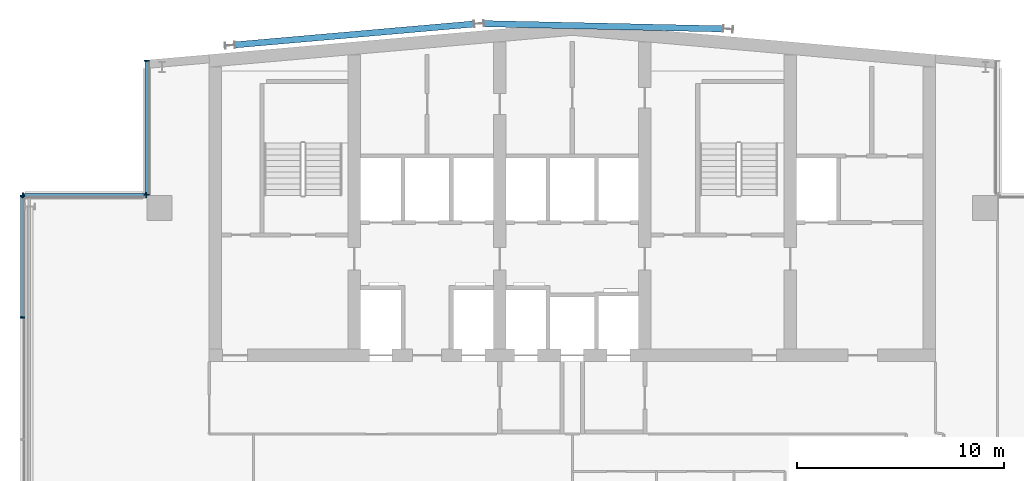
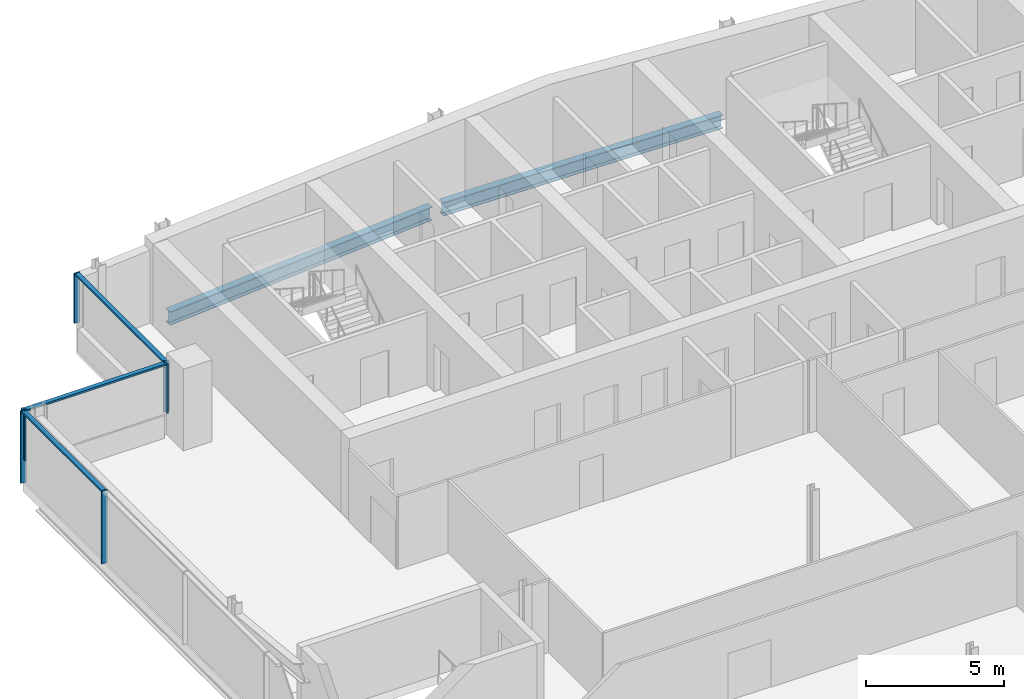
# One storey, part 9 of 19: 9 members, 2 beams, 3 elements without a shape of their own.
"""IFC4 building model written with IfcOpenShell, lengths in metres."""

from ifc_helpers import new_model, si_unit, direction, frame, origin, origin_2d, place, context, subcontext, project, spatial, rectangle, i_section, extrude, material, material_profile, profile_set, type_object, element, aggregate, save


model = new_model("IFC4")

# Units and contexts
model_context = context("Model", 3, precision=1e-05, world=origin(), true_north=direction((0.0, 1.0)))
body_context = subcontext(model_context, "Body", "Model", "MODEL_VIEW")
ifc_project = project(units=[si_unit("LENGTHUNIT", "METRE"), si_unit("AREAUNIT", "SQUARE_METRE"), si_unit("VOLUMEUNIT", "CUBIC_METRE"), si_unit("PLANEANGLEUNIT", "RADIAN"), si_unit("MASSUNIT", "GRAM", prefix="KILO")], contexts=[model_context])

# Site, building, storey
site_placement = place(None, origin())
site = spatial("IfcSite", under=ifc_project, at=site_placement, CompositionType="ELEMENT")
building_placement = place(site_placement, origin())
building = spatial("IfcBuilding", under=site, at=building_placement, Name="Wharfspan Tower", CompositionType="ELEMENT")
storey_placement = place(building_placement, frame((0.0, 0.0, 257.5)))
storey = spatial("IfcBuildingStorey", under=building, at=storey_placement, Name="L65", CompositionType="ELEMENT", Elevation=257.5)

# Beams
ifc_material_1 = material(Name="Steel S355J2", Category="steel")
ifc_material_profile_1 = material_profile(ifc_material_1, i_section(OverallWidth=0.300049, OverallDepth=0.600098, WebThickness=0.015381, FlangeThickness=0.030029, FilletRadius=0.0271, at=origin_2d()))
ifc_profile_set_1 = profile_set([ifc_material_profile_1], Name="Steel S355J2")
beam_type = type_object("IfcBeamType", Name="Edge beam HEB 600", PredefinedType="SPANDREL", material=ifc_profile_set_1)
beam_1_placement = place(storey_placement, frame((35.754883, 50.263428, -0.699951), z_axis=(-0.996194, -0.087165, 0.0), x_axis=(0.087165, -0.996194, 0.0)))
element("IfcBeam", 1, at=beam_1_placement, inside=storey, type_object=beam_type, Name="Edge beam N1 L65 R.2 to R.1", PredefinedType="SPANDREL", context=body_context, shape_type="SweptSolid", body=[
    extrude(i_section(OverallWidth=0.300049, OverallDepth=0.600098, WebThickness=0.015381, FlangeThickness=0.030029, FilletRadius=0.0271, at=origin_2d()), origin(), (0.0, 0.0, 1.0), 11.553711),
])
beam_2_placement = place(storey_placement, frame((36.247559, 50.279297, -0.699951), z_axis=(0.999761, -0.021871, 0.0), x_axis=(0.021871, 0.999761, 0.0)))
element("IfcBeam", 2, at=beam_2_placement, inside=storey, type_object=beam_type, Name="Edge beam L65 R.2 to R.3", PredefinedType="SPANDREL", context=body_context, shape_type="SweptSolid", body=[
    extrude(i_section(OverallWidth=0.300049, OverallDepth=0.600098, WebThickness=0.015381, FlangeThickness=0.030029, FilletRadius=0.0271, at=origin_2d()), origin(), (0.0, 0.0, 1.0), 11.508545),
])

# Curtain wall, members
ifc_material_2 = material(Name="Aluminium 6063-T6", Category="aluminium")
curtain_wall_type = type_object("IfcCurtainWallType", Name="CURTAIN WALL PROW AND END", PredefinedType="NOTDEFINED", material=ifc_material_2)
curtain_wall_1_placement = place(storey_placement, origin())
curtain_wall_1 = element("IfcCurtainWall", 3, at=curtain_wall_1_placement, inside=storey, type_object=curtain_wall_type, Name="Curtain wall NRW-V", PredefinedType="NOTDEFINED")
ifc_material_profile_2 = material_profile(ifc_material_2, rectangle(XDim=0.23999, YDim=0.060059, at=origin_2d()))
ifc_profile_set_2 = profile_set([ifc_material_profile_2], Name="Aluminium 6063-T6")
member_type_1 = type_object("IfcMemberType", Name="MULLION PROW AND END 60x240", PredefinedType="MULLION", material=ifc_profile_set_2)
member_1_placement = place(storey_placement, frame((20.0, 48.494873, 1.0), z_axis=(0.0, 0.0, 1.0), x_axis=(1.0, 0.0, 0.0)))
member_1 = element("IfcMember", 4, at=member_1_placement, type_object=member_type_1, Name="Curtain wall NRW-V mullion 1", PredefinedType="MULLION", context=body_context, shape_type="SweptSolid", body=[
    extrude(rectangle(XDim=0.23999, YDim=0.060059, at=origin_2d()), origin(), (0.0, 0.0, 1.0), 2.199951),
])
member_2_placement = place(storey_placement, frame((20.0, 42.030029, 1.0), z_axis=(0.0, 0.0, 1.0), x_axis=(1.0, 0.0, 0.0)))
member_2 = element("IfcMember", 5, at=member_2_placement, type_object=member_type_1, Name="Curtain wall NRW-V mullion 2", PredefinedType="MULLION", context=body_context, shape_type="SweptSolid", body=[
    extrude(rectangle(XDim=0.23999, YDim=0.060059, at=origin_2d()), origin(), (0.0, 0.0, 1.0), 2.199951),
])

curtain_wall_2_placement = place(storey_placement, origin())
curtain_wall_2 = element("IfcCurtainWall", 6, at=curtain_wall_2_placement, inside=storey, type_object=curtain_wall_type, Name="Curtain wall NRW-H", PredefinedType="NOTDEFINED")
member_3_placement = place(storey_placement, frame((19.969971, 42.0, 1.0), z_axis=(0.0, 0.0, 1.0), x_axis=(0.0, -1.0, 0.0)))
member_3 = element("IfcMember", 7, at=member_3_placement, type_object=member_type_1, Name="Curtain wall NRW-H mullion 1", PredefinedType="MULLION", context=body_context, shape_type="SweptSolid", body=[
    extrude(rectangle(XDim=0.23999, YDim=0.060059, at=origin_2d()), origin(), (0.0, 0.0, 1.0), 2.199951),
])
member_4_placement = place(storey_placement, frame((14.030029, 42.0, 1.0), z_axis=(0.0, 0.0, 1.0), x_axis=(0.0, -1.0, 0.0)))
member_4 = element("IfcMember", 8, at=member_4_placement, type_object=member_type_1, Name="Curtain wall NRW-H mullion 2", PredefinedType="MULLION", context=body_context, shape_type="SweptSolid", body=[
    extrude(rectangle(XDim=0.23999, YDim=0.060059, at=origin_2d()), origin(), (0.0, 0.0, 1.0), 2.199951),
])

curtain_wall_3_placement = place(storey_placement, origin())
curtain_wall_3 = element("IfcCurtainWall", 9, at=curtain_wall_3_placement, inside=storey, type_object=curtain_wall_type, Name="Curtain wall W", PredefinedType="NOTDEFINED")
member_5_placement = place(storey_placement, frame((14.0, 41.969971, 0.0), z_axis=(0.0, 0.0, 1.0), x_axis=(1.0, 0.0, 0.0)))
member_5 = element("IfcMember", 10, at=member_5_placement, type_object=member_type_1, Name="Curtain wall W mullion 1", PredefinedType="MULLION", context=body_context, shape_type="SweptSolid", body=[
    extrude(rectangle(XDim=0.23999, YDim=0.060059, at=origin_2d()), origin(), (0.0, 0.0, 1.0), 3.199951),
])
member_6_placement = place(storey_placement, frame((14.0, 36.120117, 0.0), z_axis=(0.0, 0.0, 1.0), x_axis=(1.0, 0.0, 0.0)))
member_6 = element("IfcMember", 11, at=member_6_placement, type_object=member_type_1, Name="Curtain wall W mullion 2", PredefinedType="MULLION", context=body_context, shape_type="SweptSolid", body=[
    extrude(rectangle(XDim=0.23999, YDim=0.060059, at=origin_2d()), origin(), (0.0, 0.0, 1.0), 3.199951),
])

# Member
ifc_material_profile_3 = material_profile(ifc_material_2, rectangle(XDim=0.179932, YDim=0.080078, at=origin_2d()))
ifc_profile_set_3 = profile_set([ifc_material_profile_3], Name="Aluminium 6063-T6")
member_type_2 = type_object("IfcMemberType", Name="TRANSOM PROW AND END 80x180", PredefinedType="USERDEFINED", material=ifc_profile_set_3)
member_7_placement = place(storey_placement, frame((20.0, 48.464844, 3.159912), z_axis=(0.0, -1.0, 0.0), x_axis=(1.0, 0.0, 0.0)))
member_7 = element("IfcMember", 12, at=member_7_placement, type_object=member_type_2, Name="Curtain wall NRW-V transom 1", ObjectType="TRANSOM", PredefinedType="USERDEFINED", context=body_context, shape_type="SweptSolid", body=[
    extrude(rectangle(XDim=0.179932, YDim=0.080078, at=origin_2d()), origin(), (0.0, 0.0, 1.0), 6.404785),
])

aggregate(curtain_wall_1, [member_1, member_2, member_7])

member_8_placement = place(storey_placement, frame((19.939941, 42.0, 3.159912), z_axis=(-1.0, 0.0, 0.0), x_axis=(0.0, -1.0, 0.0)))
member_8 = element("IfcMember", 13, at=member_8_placement, type_object=member_type_2, Name="Curtain wall NRW-H transom 1", ObjectType="TRANSOM", PredefinedType="USERDEFINED", context=body_context, shape_type="SweptSolid", body=[
    extrude(rectangle(XDim=0.179932, YDim=0.080078, at=origin_2d()), origin(), (0.0, 0.0, 1.0), 5.879883),
])

aggregate(curtain_wall_2, [member_3, member_4, member_8])

member_9_placement = place(storey_placement, frame((14.0, 41.939941, 3.159912), z_axis=(0.0, -1.0, 0.0), x_axis=(1.0, 0.0, 0.0)))
member_9 = element("IfcMember", 14, at=member_9_placement, type_object=member_type_2, Name="Curtain wall W transom 1", ObjectType="TRANSOM", PredefinedType="USERDEFINED", context=body_context, shape_type="SweptSolid", body=[
    extrude(rectangle(XDim=0.179932, YDim=0.080078, at=origin_2d()), origin(), (0.0, 0.0, 1.0), 5.790039),
])

aggregate(curtain_wall_3, [member_5, member_6, member_9])

save(model, "model.ifc")
